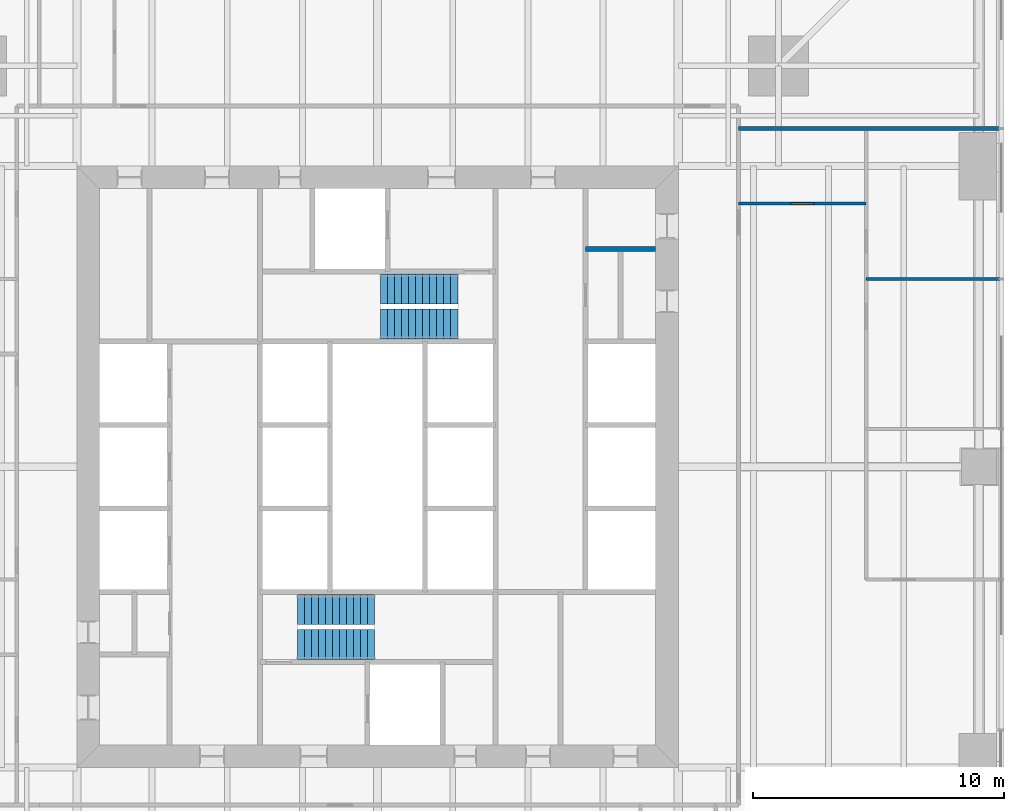
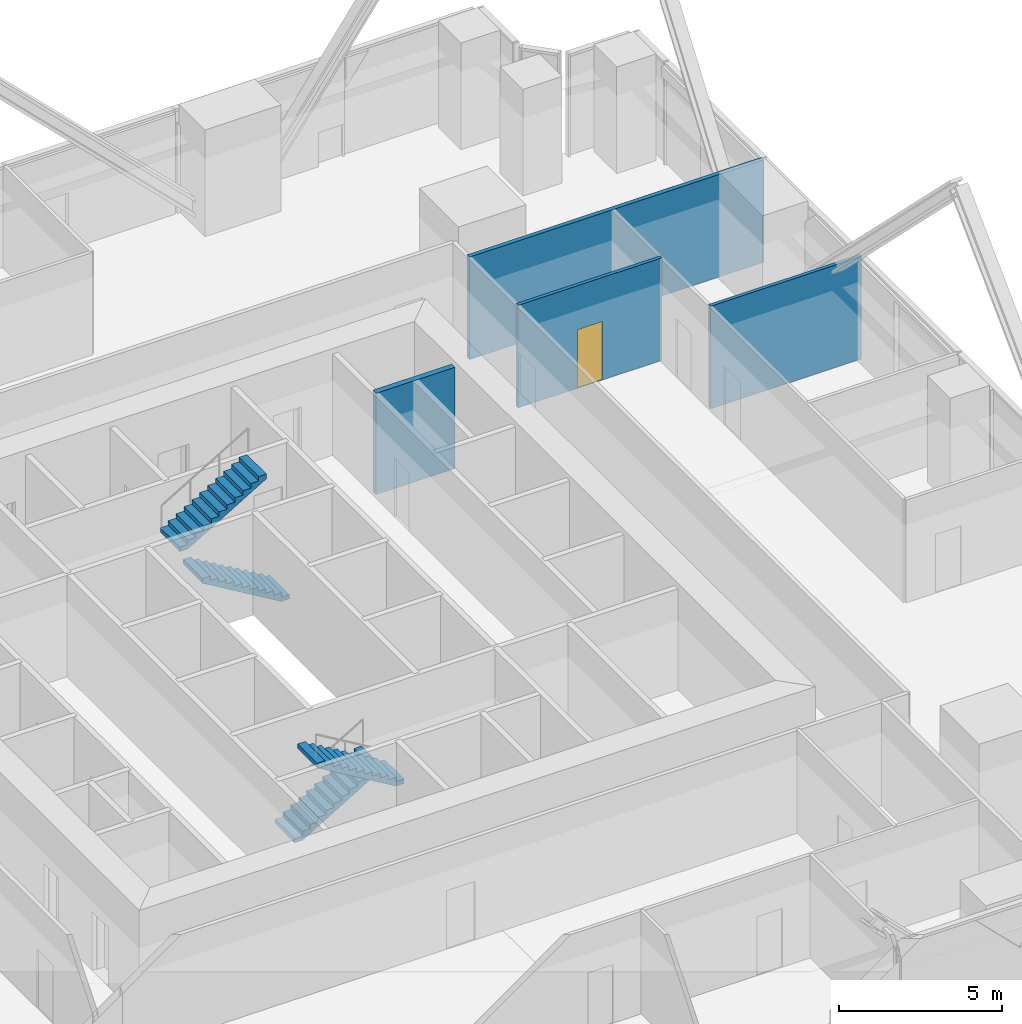
# One storey, part 12 of 14: 4 stair flights, 4 walls, 1 door, 1 opening, 2 elements without a shape of their own.
"""IFC4 building model written with IfcOpenShell, lengths in metres."""

from ifc_helpers import new_model, si_unit, direction, frame, frame_2d, origin, place, context, subcontext, project, spatial, polyline, rectangle, outline, extrude, material, layer, layer_set, type_object, element, fill, aggregate, save


model = new_model("IFC4")

# Units and contexts
model_context = context("Model", 3, precision=1e-05, world=origin(), true_north=direction((0.0, 1.0)))
body_context = subcontext(model_context, "Body", "Model", "MODEL_VIEW")
ifc_project = project(units=[si_unit("LENGTHUNIT", "METRE"), si_unit("AREAUNIT", "SQUARE_METRE"), si_unit("VOLUMEUNIT", "CUBIC_METRE"), si_unit("PLANEANGLEUNIT", "RADIAN"), si_unit("MASSUNIT", "GRAM", prefix="KILO")], contexts=[model_context])

# Site, building, storey
site_placement = place(None, origin())
site = spatial("IfcSite", under=ifc_project, at=site_placement, CompositionType="ELEMENT")
building_placement = place(site_placement, origin())
building = spatial("IfcBuilding", under=site, at=building_placement, Name="Fenwick Lantern Interchange", CompositionType="ELEMENT")
storey_placement = place(building_placement, frame((0.0, 0.0, 79.0)))
storey = spatial("IfcBuildingStorey", under=building, at=storey_placement, Name="L18", CompositionType="ELEMENT", Elevation=79.0)

# Walls
ifc_material_1 = material(Name="Concrete masonry ASTM C90 Grade N", Category="masonry")
ifc_layer_1 = layer(ifc_material_1, 0.199951171875)
ifc_layer_set_1 = layer_set([ifc_layer_1], Name="Concrete masonry ASTM C90 Grade N")
wall_type_1 = type_object("IfcWallType", Name="CORE PARTITION 200", PredefinedType="PARTITIONING", material=ifc_layer_set_1)
wall_1_placement = place(storey_placement, frame((36.10009765625, 33.699951171875, 0.0), z_axis=(0.0, 0.0, 1.0), x_axis=(-1.0, 0.0, 0.0)))
element("IfcWall", 1, at=wall_1_placement, inside=storey, type_object=wall_type_1, Name="L18/W/COREN/p1", PredefinedType="PARTITIONING", context=body_context, shape_type="SweptSolid", body=[
    extrude(rectangle(XDim=2.800048828125, YDim=0.199951171875, at=frame_2d((1.39990234375, 0.0))), origin(), (0.0, 0.0, 1.0), 3.800048828125),
])
ifc_material_2 = material(Name="Gypsum board on steel studs, acoustic", Category="steel")
ifc_layer_2 = layer(ifc_material_2, 0.125)
ifc_layer_set_2 = layer_set([ifc_layer_2], Name="OFFICE PARTITION 125")
wall_type_2 = type_object("IfcWallType", Name="OFFICE PARTITION 125", PredefinedType="PARTITIONING", material=ifc_layer_set_2)
wall_2_placement = place(storey_placement, frame((49.85009765625, 32.5, 0.0), z_axis=(0.0, 0.0, 1.0), x_axis=(-1.0, 0.0, 0.0)))
element("IfcWall", 2, at=wall_2_placement, inside=storey, type_object=wall_type_2, Name="L18/W/OFF/E/X325-1", PredefinedType="PARTITIONING", context=body_context, shape_type="SweptSolid", body=[
    extrude(rectangle(XDim=5.35009765625, YDim=0.125, at=frame_2d((2.675048828125, 0.0))), origin(), (0.0, 0.0, 1.0), 3.85009765625),
])

# Wall, opening, door
wall_3_placement = place(storey_placement, frame((44.5, 35.5, 0.0), z_axis=(0.0, 0.0, 1.0), x_axis=(-1.0, 0.0, 0.0)))
wall_3 = element("IfcWall", 3, at=wall_3_placement, inside=storey, type_object=wall_type_2, Name="L18/W/OFF/E/X355-1", PredefinedType="PARTITIONING", context=body_context, shape_type="SweptSolid", body=[
    extrude(rectangle(XDim=5.10009765625, YDim=0.125, at=frame_2d((2.550048828125, 0.0))), origin(), (0.0, 0.0, 1.0), 3.85009765625),
])
opening_placement = place(wall_3_placement, frame((2.10009765625, 0.0, 0.0)))
opening = element("IfcOpeningElement", 4, at=opening_placement, cuts=wall_3, Name="Opening L18-D030", PredefinedType="OPENING", context=body_context, shape_type="SweptSolid", body=[
    extrude(rectangle(XDim=0.89990234375, YDim=2.199951171875, at=frame_2d((0.449951171875, 1.10009765625))), frame((0.0, 0.072509765625, 0.0), z_axis=(0.0, -1.0, 0.0), x_axis=(1.0, 0.0, 0.0)), (0.0, 0.0, 1.0), 0.14501953125),
])
ifc_material_3 = material(Name="Hardwood door and steel frame", Category="steel")
door_type = type_object("IfcDoorType", Name="OFFICE DOOR 900 X 2200", OperationType="SINGLE_SWING_LEFT", PredefinedType="DOOR", material=ifc_material_3)
door_placement = place(opening_placement, frame((0.89990234375, 0.0, 0.0), z_axis=(0.0, 0.0, 1.0), x_axis=(-1.0, 0.0, 0.0)))
door = element("IfcDoor", 5, at=door_placement, inside=storey, type_object=door_type, Name="Office door", OperationType="SINGLE_SWING_RIGHT", OverallHeight=2.199951171875, OverallWidth=0.89990234375, PredefinedType="DOOR", context=body_context, shape_type="SweptSolid", body=[
    extrude(rectangle(XDim=0.89990234375, YDim=2.199951171875, at=frame_2d((0.449951171875, 1.10009765625))), frame((0.0, 0.02490234375, 0.0), z_axis=(0.0, -1.0, 0.0), x_axis=(1.0, 0.0, 0.0)), (0.0, 0.0, 1.0), 0.050048828125),
])
fill(opening, door)

# Wall
ifc_material_4 = material(Name="Gypsum board on steel studs, 1 hour acoustic", Category="steel")
ifc_layer_3 = layer(ifc_material_4, 0.14990234375)
ifc_layer_set_3 = layer_set([ifc_layer_3], Name="TENANT WALL 150")
wall_type_3 = type_object("IfcWallType", Name="TENANT WALL 150", PredefinedType="PARTITIONING", material=ifc_layer_set_3)
wall_4_placement = place(storey_placement, frame((49.85009765625, 38.5, 0.0), z_axis=(0.0, 0.0, 1.0), x_axis=(-1.0, 0.0, 0.0)))
element("IfcWall", 6, at=wall_4_placement, inside=storey, type_object=wall_type_3, Name="L18/W/OFF/N/BACK", PredefinedType="PARTITIONING", context=body_context, shape_type="SweptSolid", body=[
    extrude(rectangle(XDim=10.4501953125, YDim=0.14990234375, at=frame_2d((5.22509765625, 0.0))), origin(), (0.0, 0.0, 1.0), 3.85009765625),
])

# Stair, stair flights
ifc_material_5 = material(Name="Precast concrete f'c 35 MPa", Category="concrete")
stair_type = type_object("IfcStairType", Name="EXIT STAIR 1200", PredefinedType="HALF_TURN_STAIR", material=ifc_material_5)
stair_1_placement = place(storey_placement, origin())
stair_1 = element("IfcStair", 7, at=stair_1_placement, inside=storey, type_object=stair_type, Name="Exit stair ST1", PredefinedType="HALF_TURN_STAIR")
stair_flight_type = type_object("IfcStairFlightType", Name="STAIR FLIGHT 1200", PredefinedType="STRAIGHT", material=ifc_material_5)
stair_flight_1_placement = place(storey_placement, frame((21.800048828125, 19.300048828125, 0.0), z_axis=(0.0, 0.0, 1.0), x_axis=(1.0, 0.0, 0.0)))
stair_flight_1 = element("IfcStairFlight", 8, at=stair_flight_1_placement, type_object=stair_flight_type, Name="ST1 flight 1", NumberOfRisers=12, NumberOfTreads=11, PredefinedType="STRAIGHT", RiserHeight=0.166666667, TreadLength=0.28, context=body_context, shape_type="SweptSolid", body=[
    extrude(outline(polyline([(0.0, 0.0), (0.0, 0.166748046875), (0.280029296875, 0.166748046875), (0.280029296875, 0.333251953125), (0.56005859375, 0.333251953125), (0.56005859375, 0.5), (0.840087890625, 0.5), (0.840087890625, 0.666748046875), (1.1201171875, 0.666748046875), (1.1201171875, 0.833251953125), (1.39990234375, 0.833251953125), (1.39990234375, 1.0), (1.679931640625, 1.0), (1.679931640625, 1.166748046875), (1.9599609375, 1.166748046875), (1.9599609375, 1.333251953125), (2.239990234375, 1.333251953125), (2.239990234375, 1.5), (2.52001953125, 1.5), (2.52001953125, 1.666748046875), (2.800048828125, 1.666748046875), (2.800048828125, 1.833251953125), (3.080078125, 1.833251953125), (3.080078125, 2.0), (3.080078125, 1.658935546875), (0.29296875, 0.0), (0.0, 0.0)])), frame((0.0, 0.60009765625, 0.0), z_axis=(0.0, -1.0, 0.0), x_axis=(1.0, 0.0, 0.0)), (0.0, 0.0, 1.0), 1.199951171875),
])
stair_flight_2_placement = place(storey_placement, frame((24.8798828125, 17.89990234375, 2.0), z_axis=(0.0, 0.0, 1.0), x_axis=(-1.0, 0.0, 0.0)))
stair_flight_2 = element("IfcStairFlight", 9, at=stair_flight_2_placement, type_object=stair_flight_type, Name="ST1 flight 2", NumberOfRisers=12, NumberOfTreads=11, PredefinedType="STRAIGHT", RiserHeight=0.166666667, TreadLength=0.28, context=body_context, shape_type="SweptSolid", body=[
    extrude(outline(polyline([(0.0, 0.0), (0.0, 0.166748046875), (0.280029296875, 0.166748046875), (0.280029296875, 0.333251953125), (0.56005859375, 0.333251953125), (0.56005859375, 0.5), (0.840087890625, 0.5), (0.840087890625, 0.666748046875), (1.1201171875, 0.666748046875), (1.1201171875, 0.833251953125), (1.39990234375, 0.833251953125), (1.39990234375, 1.0), (1.679931640625, 1.0), (1.679931640625, 1.166748046875), (1.9599609375, 1.166748046875), (1.9599609375, 1.333251953125), (2.239990234375, 1.333251953125), (2.239990234375, 1.5), (2.52001953125, 1.5), (2.52001953125, 1.666748046875), (2.800048828125, 1.666748046875), (2.800048828125, 1.833251953125), (3.080078125, 1.833251953125), (3.080078125, 2.0), (3.080078125, 1.658935546875), (0.29296875, 0.0), (0.0, 0.0)])), frame((0.0, 0.60009765625, 0.0), z_axis=(0.0, -1.0, 0.0), x_axis=(1.0, 0.0, 0.0)), (0.0, 0.0, 1.0), 1.199951171875),
])
aggregate(stair_1, [stair_flight_1, stair_flight_2])

stair_2_placement = place(storey_placement, origin())
stair_2 = element("IfcStair", 10, at=stair_2_placement, inside=storey, type_object=stair_type, Name="Exit stair ST2", PredefinedType="HALF_TURN_STAIR")
stair_flight_3_placement = place(storey_placement, frame((28.199951171875, 30.699951171875, 0.0), z_axis=(0.0, 0.0, 1.0), x_axis=(-1.0, 0.0, 0.0)))
stair_flight_3 = element("IfcStairFlight", 11, at=stair_flight_3_placement, type_object=stair_flight_type, Name="ST2 flight 1", NumberOfRisers=12, NumberOfTreads=11, PredefinedType="STRAIGHT", RiserHeight=0.166666667, TreadLength=0.28, context=body_context, shape_type="SweptSolid", body=[
    extrude(outline(polyline([(0.0, 0.0), (0.0, 0.166748046875), (0.280029296875, 0.166748046875), (0.280029296875, 0.333251953125), (0.56005859375, 0.333251953125), (0.56005859375, 0.5), (0.840087890625, 0.5), (0.840087890625, 0.666748046875), (1.1201171875, 0.666748046875), (1.1201171875, 0.833251953125), (1.39990234375, 0.833251953125), (1.39990234375, 1.0), (1.679931640625, 1.0), (1.679931640625, 1.166748046875), (1.9599609375, 1.166748046875), (1.9599609375, 1.333251953125), (2.239990234375, 1.333251953125), (2.239990234375, 1.5), (2.52001953125, 1.5), (2.52001953125, 1.666748046875), (2.800048828125, 1.666748046875), (2.800048828125, 1.833251953125), (3.080078125, 1.833251953125), (3.080078125, 2.0), (3.080078125, 1.658935546875), (0.29296875, 0.0), (0.0, 0.0)])), frame((0.0, 0.60009765625, 0.0), z_axis=(0.0, -1.0, 0.0), x_axis=(1.0, 0.0, 0.0)), (0.0, 0.0, 1.0), 1.199951171875),
])
stair_flight_4_placement = place(storey_placement, frame((25.1201171875, 32.10009765625, 2.0), z_axis=(0.0, 0.0, 1.0), x_axis=(1.0, 0.0, 0.0)))
stair_flight_4 = element("IfcStairFlight", 12, at=stair_flight_4_placement, type_object=stair_flight_type, Name="ST2 flight 2", NumberOfRisers=12, NumberOfTreads=11, PredefinedType="STRAIGHT", RiserHeight=0.166666667, TreadLength=0.28, context=body_context, shape_type="SweptSolid", body=[
    extrude(outline(polyline([(0.0, 0.0), (0.0, 0.166748046875), (0.280029296875, 0.166748046875), (0.280029296875, 0.333251953125), (0.56005859375, 0.333251953125), (0.56005859375, 0.5), (0.840087890625, 0.5), (0.840087890625, 0.666748046875), (1.1201171875, 0.666748046875), (1.1201171875, 0.833251953125), (1.39990234375, 0.833251953125), (1.39990234375, 1.0), (1.679931640625, 1.0), (1.679931640625, 1.166748046875), (1.9599609375, 1.166748046875), (1.9599609375, 1.333251953125), (2.239990234375, 1.333251953125), (2.239990234375, 1.5), (2.52001953125, 1.5), (2.52001953125, 1.666748046875), (2.800048828125, 1.666748046875), (2.800048828125, 1.833251953125), (3.080078125, 1.833251953125), (3.080078125, 2.0), (3.080078125, 1.658935546875), (0.29296875, 0.0), (0.0, 0.0)])), frame((0.0, 0.60009765625, 0.0), z_axis=(0.0, -1.0, 0.0), x_axis=(1.0, 0.0, 0.0)), (0.0, 0.0, 1.0), 1.199951171875),
])
aggregate(stair_2, [stair_flight_3, stair_flight_4])

save(model, "model.ifc")
